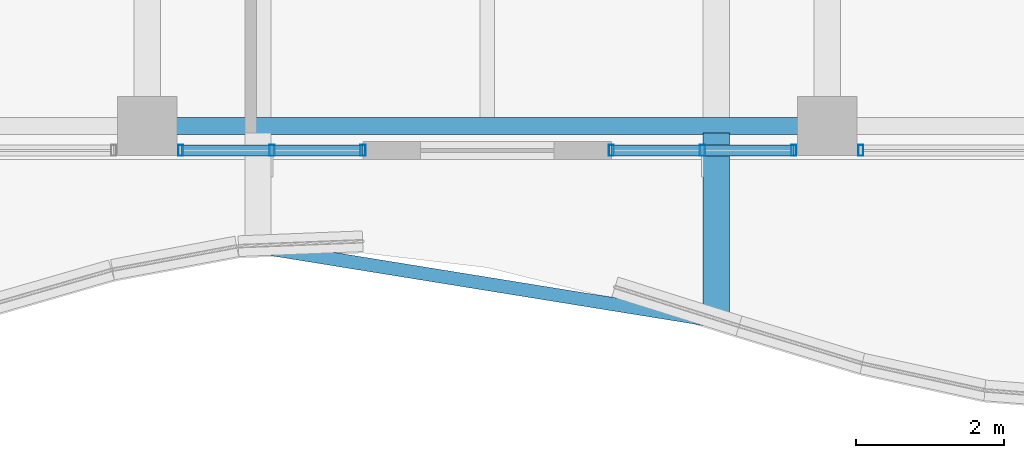
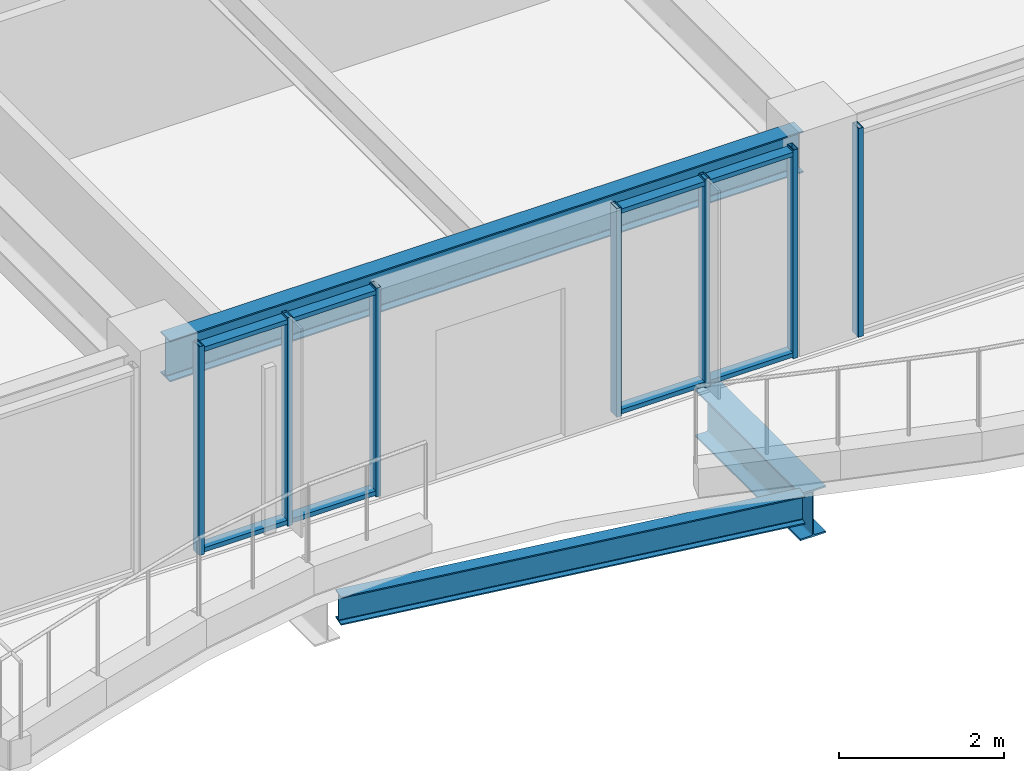
# One storey, part 6 of 36: 11 members, 3 beams, 3 elements without a shape of their own.
"""IFC4 building model written with IfcOpenShell, lengths in metres."""

from ifc_helpers import new_model, si_unit, direction, frame, origin, origin_2d, place, context, subcontext, project, spatial, hollow_rectangle, i_section, extrude, material, material_profile, profile_set, type_object, element, aggregate, save


model = new_model("IFC4")

# Units and contexts
model_context = context("Model", 3, precision=1e-05, world=origin(), true_north=direction((0.0, 1.0)))
body_context = subcontext(model_context, "Body", "Model", "MODEL_VIEW")
ifc_project = project(units=[si_unit("LENGTHUNIT", "METRE"), si_unit("AREAUNIT", "SQUARE_METRE"), si_unit("VOLUMEUNIT", "CUBIC_METRE"), si_unit("PLANEANGLEUNIT", "RADIAN"), si_unit("MASSUNIT", "GRAM", prefix="KILO")], contexts=[model_context])

# Site, building, storey
site_placement = place(None, origin())
site = spatial("IfcSite", under=ifc_project, at=site_placement, CompositionType="ELEMENT")
building_placement = place(site_placement, origin())
building = spatial("IfcBuilding", under=site, at=building_placement, Name="Kolvaren Belvedere", CompositionType="ELEMENT")
storey_placement = place(building_placement, frame((0.0, 0.0, 199.800048828125)))
storey = spatial("IfcBuildingStorey", under=building, at=storey_placement, Name="L58", CompositionType="ELEMENT", Elevation=199.800048828125)

# Beams
ifc_material_1 = material(Name="Structural steel ASTM A992 Grade 50", Category="steel")
ifc_material_profile_1 = material_profile(ifc_material_1, i_section(OverallWidth=0.35498046875, OverallDepth=0.696044921875, WebThickness=0.015380859375, FlangeThickness=0.02490234375, FilletRadius=0.02197265625, at=origin_2d()), Name="W27X146")
ifc_profile_set_1 = profile_set([ifc_material_profile_1], Name="Structural steel ASTM A992 Grade 50")
beam_type_1 = type_object("IfcBeamType", Name="BM-CANT-BAL", PredefinedType="BEAM", material=ifc_profile_set_1)
beam_1_placement = place(storey_placement, frame((3.10009765625, -20.044921875, -0.568115234375), z_axis=(0.0, -1.0, 0.0), x_axis=(1.0, 0.0, 0.0)))
element("IfcBeam", 1, at=beam_1_placement, inside=storey, type_object=beam_type_1, Name="L58 Planted Balcony Cantilever BAL-S-2", PredefinedType="BEAM", context=body_context, shape_type="SweptSolid", body=[
    extrude(i_section(OverallWidth=0.35498046875, OverallDepth=0.696044921875, WebThickness=0.015380859375, FlangeThickness=0.02490234375, FilletRadius=0.02197265625, at=origin_2d()), origin(), (0.0, 0.0, 1.0), 2.541259765625),
])
ifc_material_2 = material(Name="Structural steel ASTM A992 Grade 50", Category="steel")
ifc_material_profile_2 = material_profile(ifc_material_2, i_section(OverallWidth=0.180908203125, OverallDepth=0.4169921875, WebThickness=0.010986328125, FlangeThickness=0.018310546875, FilletRadius=0.013916015625, at=origin_2d()), Name="W16X57")
ifc_profile_set_2 = profile_set([ifc_material_profile_2], Name="Structural steel ASTM A992 Grade 50")
beam_type_2 = type_object("IfcBeamType", Name="BM-EDGE-W16X57", PredefinedType="BEAM", material=ifc_profile_set_2)
beam_2_placement = place(storey_placement, frame((-2.9619140625, -21.607666015625, -0.428466796875), z_axis=(0.987219034838, -0.159369310891, 0.0), x_axis=(0.159369310891, 0.987219034838, 0.0)))
element("IfcBeam", 2, at=beam_2_placement, inside=storey, type_object=beam_type_2, Name="L58 Balcony Tip Header Beam BAL-S", PredefinedType="BEAM", context=body_context, shape_type="SweptSolid", body=[
    extrude(i_section(OverallWidth=0.180908203125, OverallDepth=0.4169921875, WebThickness=0.010986328125, FlangeThickness=0.018310546875, FilletRadius=0.013916015625, at=origin_2d()), origin(), (0.0, 0.0, 1.0), 6.00048828125),
])
ifc_material_3 = material(Name="Structural steel ASTM A992 Grade 50", Category="steel")
ifc_material_profile_3 = material_profile(ifc_material_3, i_section(OverallWidth=0.22900390625, OverallDepth=0.612060546875, WebThickness=0.011962890625, FlangeThickness=0.01953125, FilletRadius=0.01806640625, at=origin_2d()), Name="W24X84")
ifc_profile_set_3 = profile_set([ifc_material_profile_3], Name="Structural steel ASTM A992 Grade 50")
beam_type_3 = type_object("IfcBeamType", Name="BM-SPAN-W24X84", PredefinedType="SPANDREL", material=ifc_profile_set_3)
beam_3_placement = place(storey_placement, frame((-4.419921875, -19.949951171875, 2.77392578125), z_axis=(1.0, 0.0, 0.0), x_axis=(0.0, 1.0, 0.0)))
element("IfcBeam", 3, at=beam_3_placement, inside=storey, type_object=beam_type_3, Name="L58 Perimeter Spandrel S2-S3", PredefinedType="SPANDREL", context=body_context, shape_type="SweptSolid", body=[
    extrude(i_section(OverallWidth=0.22900390625, OverallDepth=0.612060546875, WebThickness=0.011962890625, FlangeThickness=0.01953125, FilletRadius=0.01806640625, at=origin_2d()), origin(), (0.0, 0.0, 1.0), 8.83984375),
])

# Curtain wall, member
ifc_material_4 = material(Name="Anodised pale-metal aluminium AA 6063-T6", Category="aluminium")
curtain_wall_type = type_object("IfcCurtainWallType", Name="CW-Z5-HIGH", PredefinedType="NOTDEFINED", material=ifc_material_4)
curtain_wall_1_placement = place(storey_placement, origin())
curtain_wall_1 = element("IfcCurtainWall", 4, at=curtain_wall_1_placement, inside=storey, type_object=curtain_wall_type, Name="L58 Unitised Curtain Wall FCW-L58-S1-B1", PredefinedType="NOTDEFINED")
ifc_material_5 = material(Name="Anodised pale-metal aluminium AA 6063-T6", Category="aluminium")
ifc_material_profile_4 = material_profile(ifc_material_5, hollow_rectangle(XDim=0.070068359375, YDim=0.14990234375, WallThickness=0.004150390625, at=origin_2d()), Name="ALU-MUL-150X70")
ifc_profile_set_4 = profile_set([ifc_material_profile_4], Name="Anodised pale-metal aluminium AA 6063-T6")
member_type_1 = type_object("IfcMemberType", Name="CW-MUL-150", PredefinedType="MULLION", material=ifc_profile_set_4)
member_1_placement = place(storey_placement, frame((5.054931640625, -20.280029296875, 0.0), z_axis=(0.0, 0.0, 1.0), x_axis=(1.0, 0.0, 0.0)))
member_1 = element("IfcMember", 5, at=member_1_placement, type_object=member_type_1, Name="FCW-L58-S1-B1 Unitised Mullion 3", PredefinedType="MULLION", context=body_context, shape_type="SweptSolid", body=[
    extrude(hollow_rectangle(XDim=0.070068359375, YDim=0.14990234375, WallThickness=0.004150390625, at=origin_2d()), origin(), (0.0, 0.0, 1.0), 3.079833984375),
])
aggregate(curtain_wall_1, [member_1])

# Curtain wall, members
curtain_wall_2_placement = place(storey_placement, origin())
curtain_wall_2 = element("IfcCurtainWall", 6, at=curtain_wall_2_placement, inside=storey, type_object=curtain_wall_type, Name="L58 Unitised Curtain Wall FCW-L58-S1-B2", PredefinedType="NOTDEFINED")
member_2_placement = place(storey_placement, frame((4.14501953125, -20.280029296875, 0.0), z_axis=(0.0, 0.0, 1.0), x_axis=(1.0, 0.0, 0.0)))
member_2 = element("IfcMember", 7, at=member_2_placement, type_object=member_type_1, Name="FCW-L58-S1-B2 Unitised Mullion 1", PredefinedType="MULLION", context=body_context, shape_type="SweptSolid", body=[
    extrude(hollow_rectangle(XDim=0.070068359375, YDim=0.14990234375, WallThickness=0.004150390625, at=origin_2d()), origin(), (0.0, 0.0, 1.0), 3.079833984375),
])
member_3_placement = place(storey_placement, frame((2.91259765625, -20.280029296875, 0.0), z_axis=(0.0, 0.0, 1.0), x_axis=(1.0, 0.0, 0.0)))
member_3 = element("IfcMember", 8, at=member_3_placement, type_object=member_type_1, Name="FCW-L58-S1-B2 Unitised Mullion 2", PredefinedType="MULLION", context=body_context, shape_type="SweptSolid", body=[
    extrude(hollow_rectangle(XDim=0.070068359375, YDim=0.14990234375, WallThickness=0.004150390625, at=origin_2d()), origin(), (0.0, 0.0, 1.0), 3.079833984375),
])
member_4_placement = place(storey_placement, frame((1.679931640625, -20.280029296875, 0.0), z_axis=(0.0, 0.0, 1.0), x_axis=(1.0, 0.0, 0.0)))
member_4 = element("IfcMember", 9, at=member_4_placement, type_object=member_type_1, Name="FCW-L58-S1-B2 Unitised Mullion 3", PredefinedType="MULLION", context=body_context, shape_type="SweptSolid", body=[
    extrude(hollow_rectangle(XDim=0.070068359375, YDim=0.14990234375, WallThickness=0.004150390625, at=origin_2d()), origin(), (0.0, 0.0, 1.0), 3.079833984375),
])

curtain_wall_3_placement = place(storey_placement, origin())
curtain_wall_3 = element("IfcCurtainWall", 10, at=curtain_wall_3_placement, inside=storey, type_object=curtain_wall_type, Name="L58 Unitised Curtain Wall FCW-L58-S2-B1", PredefinedType="NOTDEFINED")
member_5_placement = place(storey_placement, frame((-1.679931640625, -20.280029296875, 0.0), z_axis=(0.0, 0.0, 1.0), x_axis=(1.0, 0.0, 0.0)))
member_5 = element("IfcMember", 11, at=member_5_placement, type_object=member_type_1, Name="FCW-L58-S2-B1 Unitised Mullion 1", PredefinedType="MULLION", context=body_context, shape_type="SweptSolid", body=[
    extrude(hollow_rectangle(XDim=0.070068359375, YDim=0.14990234375, WallThickness=0.004150390625, at=origin_2d()), origin(), (0.0, 0.0, 1.0), 3.079833984375),
])
member_6_placement = place(storey_placement, frame((-2.91259765625, -20.280029296875, 0.0), z_axis=(0.0, 0.0, 1.0), x_axis=(1.0, 0.0, 0.0)))
member_6 = element("IfcMember", 12, at=member_6_placement, type_object=member_type_1, Name="FCW-L58-S2-B1 Unitised Mullion 2", PredefinedType="MULLION", context=body_context, shape_type="SweptSolid", body=[
    extrude(hollow_rectangle(XDim=0.070068359375, YDim=0.14990234375, WallThickness=0.004150390625, at=origin_2d()), origin(), (0.0, 0.0, 1.0), 3.079833984375),
])
member_7_placement = place(storey_placement, frame((-4.14501953125, -20.280029296875, 0.0), z_axis=(0.0, 0.0, 1.0), x_axis=(1.0, 0.0, 0.0)))
member_7 = element("IfcMember", 13, at=member_7_placement, type_object=member_type_1, Name="FCW-L58-S2-B1 Unitised Mullion 3", PredefinedType="MULLION", context=body_context, shape_type="SweptSolid", body=[
    extrude(hollow_rectangle(XDim=0.070068359375, YDim=0.14990234375, WallThickness=0.004150390625, at=origin_2d()), origin(), (0.0, 0.0, 1.0), 3.079833984375),
])

# Member
ifc_material_6 = material(Name="Anodised pale-metal aluminium AA 6063-T6", Category="aluminium")
ifc_material_profile_5 = material_profile(ifc_material_6, hollow_rectangle(XDim=0.06494140625, YDim=0.14990234375, WallThickness=0.00390625, at=origin_2d()), Name="ALU-TRN-150X65")
ifc_profile_set_5 = profile_set([ifc_material_profile_5], Name="Anodised pale-metal aluminium AA 6063-T6")
member_type_2 = type_object("IfcMemberType", Name="CW-TRN-150", PredefinedType="USERDEFINED", material=ifc_profile_set_5)
member_8_placement = place(storey_placement, frame((4.14501953125, -20.280029296875, 0.06005859375), z_axis=(-1.0, 0.0, 0.0), x_axis=(0.0, 0.0, 1.0)))
member_8 = element("IfcMember", 14, at=member_8_placement, type_object=member_type_2, Name="FCW-L58-S1-B2 Sill Transom", ObjectType="TRANSOM", PredefinedType="USERDEFINED", context=body_context, shape_type="SweptSolid", body=[
    extrude(hollow_rectangle(XDim=0.06494140625, YDim=0.14990234375, WallThickness=0.00390625, at=origin_2d()), origin(), (0.0, 0.0, 1.0), 2.465087890625),
])

member_9_placement = place(storey_placement, frame((4.14501953125, -20.280029296875, 3.02001953125), z_axis=(-1.0, 0.0, 0.0), x_axis=(0.0, 0.0, 1.0)))
member_9 = element("IfcMember", 15, at=member_9_placement, type_object=member_type_2, Name="FCW-L58-S1-B2 Head Transom", ObjectType="TRANSOM", PredefinedType="USERDEFINED", context=body_context, shape_type="SweptSolid", body=[
    extrude(hollow_rectangle(XDim=0.06494140625, YDim=0.14990234375, WallThickness=0.00390625, at=origin_2d()), origin(), (0.0, 0.0, 1.0), 2.465087890625),
])

aggregate(curtain_wall_2, [member_2, member_3, member_4, member_8, member_9])

member_10_placement = place(storey_placement, frame((-1.679931640625, -20.280029296875, 0.06005859375), z_axis=(-1.0, 0.0, 0.0), x_axis=(0.0, 0.0, 1.0)))
member_10 = element("IfcMember", 16, at=member_10_placement, type_object=member_type_2, Name="FCW-L58-S2-B1 Sill Transom", ObjectType="TRANSOM", PredefinedType="USERDEFINED", context=body_context, shape_type="SweptSolid", body=[
    extrude(hollow_rectangle(XDim=0.06494140625, YDim=0.14990234375, WallThickness=0.00390625, at=origin_2d()), origin(), (0.0, 0.0, 1.0), 2.465087890625),
])

member_11_placement = place(storey_placement, frame((-1.679931640625, -20.280029296875, 3.02001953125), z_axis=(-1.0, 0.0, 0.0), x_axis=(0.0, 0.0, 1.0)))
member_11 = element("IfcMember", 17, at=member_11_placement, type_object=member_type_2, Name="FCW-L58-S2-B1 Head Transom", ObjectType="TRANSOM", PredefinedType="USERDEFINED", context=body_context, shape_type="SweptSolid", body=[
    extrude(hollow_rectangle(XDim=0.06494140625, YDim=0.14990234375, WallThickness=0.00390625, at=origin_2d()), origin(), (0.0, 0.0, 1.0), 2.465087890625),
])

aggregate(curtain_wall_3, [member_5, member_6, member_7, member_10, member_11])

save(model, "model.ifc")
